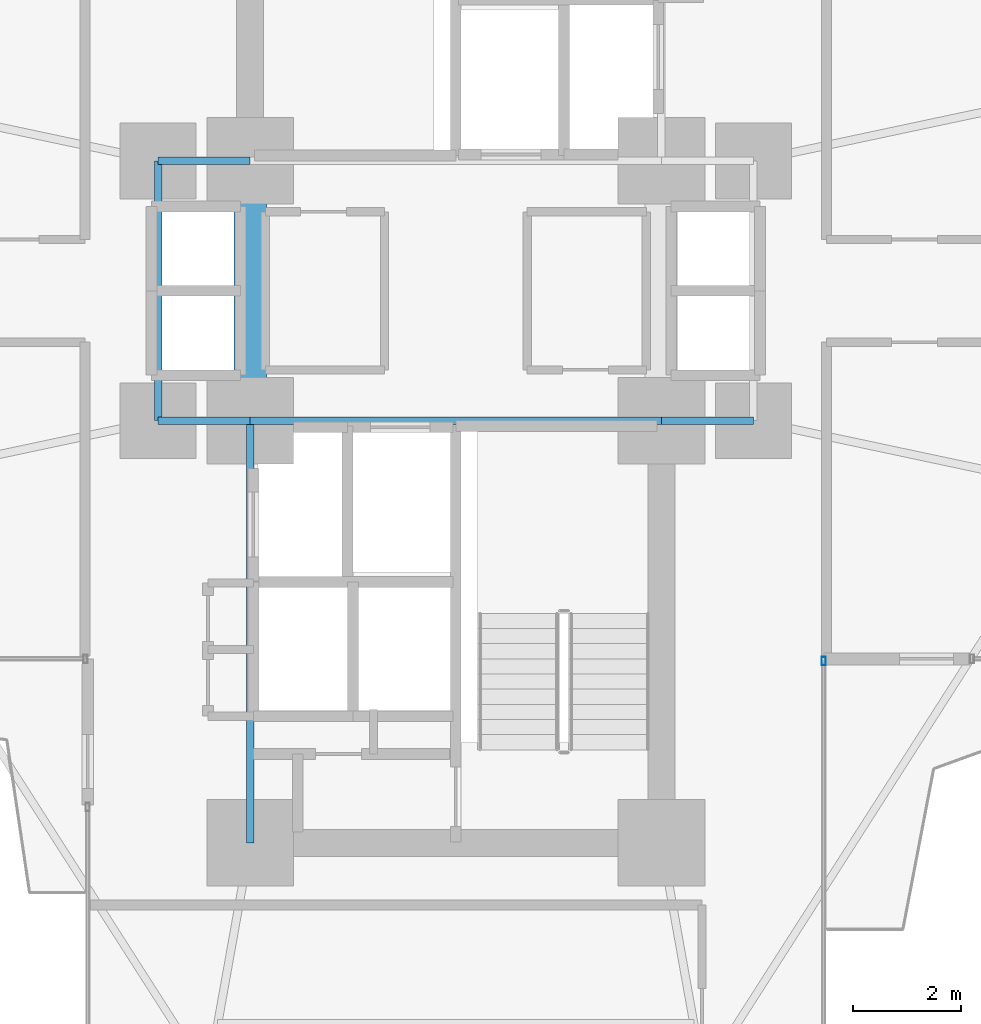
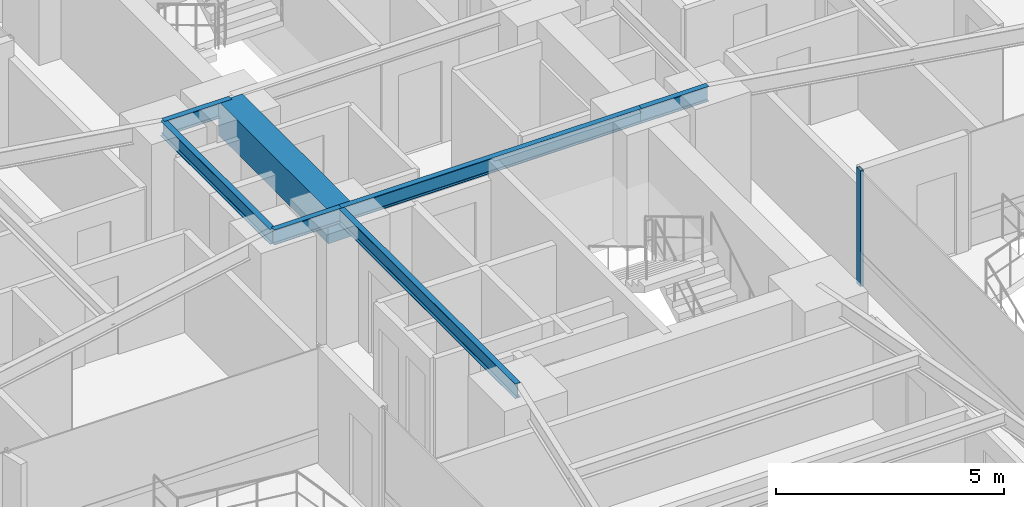
# One storey, part 11 of 26: 7 beams, 1 member, 1 element without a shape of its own.
"""IFC4 building model written with IfcOpenShell, lengths in metres."""

from ifc_helpers import new_model, si_unit, direction, frame, origin, origin_2d, place, context, subcontext, project, spatial, rectangle, hollow_rectangle, i_section, extrude, source, transform, mapped, material, material_profile, profile_set, type_object, element, aggregate, save


model = new_model("IFC4")

# Units and contexts
model_context = context("Model", 3, precision=1e-05, world=origin(), true_north=direction((0.0, 1.0)))
body_context = subcontext(model_context, "Body", "Model", "MODEL_VIEW")
ifc_project = project(units=[si_unit("LENGTHUNIT", "METRE"), si_unit("AREAUNIT", "SQUARE_METRE"), si_unit("VOLUMEUNIT", "CUBIC_METRE"), si_unit("PLANEANGLEUNIT", "RADIAN"), si_unit("MASSUNIT", "GRAM", prefix="KILO")], contexts=[model_context])

# Site, building, storey
site_placement = place(None, origin())
site = spatial("IfcSite", under=ifc_project, at=site_placement, CompositionType="ELEMENT")
building_placement = place(site_placement, origin())
building = spatial("IfcBuilding", under=site, at=building_placement, Name="Sahyath Konkavel Grand Hotel", CompositionType="ELEMENT")
storey_placement = place(building_placement, frame((0.0, 0.0, 29.800048828125)))
storey = spatial("IfcBuildingStorey", under=building, at=storey_placement, Name="L07", CompositionType="ELEMENT", Elevation=29.800048828125)

# Beams
ifc_material_1 = material(Name="Concrete C70/85", Category="concrete")
ifc_material_profile_1 = material_profile(ifc_material_1, rectangle(XDim=0.60009765625, YDim=0.89990234375, at=origin_2d()), Name="RC 600x900")
ifc_profile_set_1 = profile_set([ifc_material_profile_1], Name="Concrete C70/85")
beam_type_1 = type_object("IfcBeamType", Name="BM-CB600x900", PredefinedType="LINTEL", material=ifc_profile_set_1)
shared_shape_1 = source(origin(), body_context, "Body", "SweptSolid", [
    extrude(rectangle(XDim=0.60009765625, YDim=0.89990234375, at=origin_2d()), origin(), (0.0, 0.0, 1.0), 4.7998046875),
])
beam_1_placement = place(storey_placement, frame((-3.800048828125, -2.39990234375, 2.659912109375), z_axis=(0.0, 1.0, 0.0), x_axis=(-1.0, 0.0, 0.0)))
element("IfcBeam", 1, at=beam_1_placement, inside=storey, type_object=beam_type_1, Name="L07 Split-Core Coupling Beam West", PredefinedType="LINTEL", context=body_context, shape_type="MappedRepresentation", body=[
    mapped(shared_shape_1, transform((0.0, 0.0, 0.0), scale=1.0)),
])
ifc_material_2 = material(Name="Steel E350", Category="steel")
ifc_material_profile_2 = material_profile(ifc_material_2, i_section(OverallWidth=0.139892578125, OverallDepth=0.39990234375, WebThickness=0.0087890625, FlangeThickness=0.01611328125, FilletRadius=0.013916015625, at=origin_2d()), Name="ISMB 400")
ifc_profile_set_2 = profile_set([ifc_material_profile_2], Name="Steel E350")
beam_type_2 = type_object("IfcBeamType", Name="BM-ISMB400", PredefinedType="BEAM", material=ifc_profile_set_2)
shared_shape_2 = source(origin(), body_context, "Body", "SweptSolid", [
    extrude(i_section(OverallWidth=0.139892578125, OverallDepth=0.39990234375, WebThickness=0.0087890625, FlangeThickness=0.01611328125, FilletRadius=0.013916015625, at=origin_2d()), origin(), (0.0, 0.0, 1.0), 7.60009765625),
])
beam_2_placement = place(storey_placement, frame((-3.800048828125, -2.39990234375, 2.909912109375), z_axis=(1.0, 0.0, 0.0), x_axis=(0.0, 1.0, 0.0)))
element("IfcBeam", 2, at=beam_2_placement, inside=storey, type_object=beam_type_2, Name="str:bm:L07:SC-N", PredefinedType="BEAM", context=body_context, shape_type="MappedRepresentation", body=[
    mapped(shared_shape_2, transform((0.0, 0.0, 0.0), scale=1.0)),
])
shared_shape_3 = source(origin(), body_context, "Body", "SweptSolid", [
    extrude(i_section(OverallWidth=0.139892578125, OverallDepth=0.39990234375, WebThickness=0.0087890625, FlangeThickness=0.01611328125, FilletRadius=0.013916015625, at=origin_2d()), origin(), (0.0, 0.0, 1.0), 7.800048828125),
])
beam_3_placement = place(storey_placement, frame((-3.800048828125, -10.199951171875, 2.909912109375), z_axis=(0.0, 1.0, 0.0), x_axis=(-1.0, 0.0, 0.0)))
element("IfcBeam", 3, at=beam_3_placement, inside=storey, type_object=beam_type_2, Name="str:bm:L07:SC-W", PredefinedType="BEAM", context=body_context, shape_type="MappedRepresentation", body=[
    mapped(shared_shape_3, transform((0.0, 0.0, 0.0), scale=1.0)),
])
shared_shape_4 = source(origin(), body_context, "Body", "SweptSolid", [
    extrude(i_section(OverallWidth=0.139892578125, OverallDepth=0.39990234375, WebThickness=0.0087890625, FlangeThickness=0.01611328125, FilletRadius=0.013916015625, at=origin_2d()), origin(), (0.0, 0.0, 1.0), 1.699951171875),
])
for number, where, z_axis, x_axis, name in (
    (4, (-5.5, 2.39990234375, 2.909912109375), (1.0, 0.0, 0.0), (0.0, 1.0, 0.0), "str:bm:L07:HB-NW"),
    (5, (-5.5, -2.39990234375, 2.909912109375), (1.0, 0.0, 0.0), (0.0, 1.0, 0.0), "str:bm:L07:HB-SW"),
    (6, (3.800048828125, -2.39990234375, 2.909912109375), (1.0, 0.0, 0.0), (0.0, 1.0, 0.0), "str:bm:L07:HB-SE"),
):
    element("IfcBeam", number, at=place(storey_placement, frame(where, z_axis=z_axis, x_axis=x_axis)), inside=storey, type_object=beam_type_2, Name=name, PredefinedType="BEAM", context=body_context, shape_type="MappedRepresentation", body=[
        mapped(shared_shape_4, transform((0.0, 0.0, 0.0), scale=1.0)),
    ])
shared_shape_5 = source(origin(), body_context, "Body", "SweptSolid", [
    extrude(i_section(OverallWidth=0.139892578125, OverallDepth=0.39990234375, WebThickness=0.0087890625, FlangeThickness=0.01611328125, FilletRadius=0.013916015625, at=origin_2d()), origin(), (0.0, 0.0, 1.0), 4.7998046875),
])
beam_4_placement = place(storey_placement, frame((-5.5, -2.39990234375, 2.909912109375), z_axis=(0.0, 1.0, 0.0), x_axis=(-1.0, 0.0, 0.0)))
element("IfcBeam", 7, at=beam_4_placement, inside=storey, type_object=beam_type_2, Name="str:bm:L07:HB-W", PredefinedType="BEAM", context=body_context, shape_type="MappedRepresentation", body=[
    mapped(shared_shape_5, transform((0.0, 0.0, 0.0), scale=1.0)),
])

# Curtain wall, member
ifc_material_3 = material(Name="Anodised Bronze Aluminium & Low-E Glazing", Category="aluminium")
curtain_wall_type = type_object("IfcCurtainWallType", Name="CW-ZONE1", PredefinedType="NOTDEFINED", material=ifc_material_3)
curtain_wall_placement = place(storey_placement, origin())
curtain_wall = element("IfcCurtainWall", 8, at=curtain_wall_placement, inside=storey, type_object=curtain_wall_type, Name="L07 Unitised Curtain Wall F31", PredefinedType="NOTDEFINED")
ifc_material_4 = material(Name="Anodised Bronze Aluminium", Category="aluminium")
ifc_material_profile_3 = material_profile(ifc_material_4, hollow_rectangle(XDim=0.080078125, YDim=0.159912109375, WallThickness=0.006103515625, at=origin_2d()), Name="RHS 160x80x6")
ifc_profile_set_3 = profile_set([ifc_material_profile_3], Name="Anodised Bronze Aluminium")
member_type = type_object("IfcMemberType", Name="CW-MUL-160", PredefinedType="MULLION", material=ifc_profile_set_3)
shared_shape_6 = source(origin(), body_context, "Body", "SweptSolid", [
    extrude(hollow_rectangle(XDim=0.080078125, YDim=0.159912109375, WallThickness=0.006103515625, at=origin_2d()), origin(), (0.0, 0.0, 1.0), 3.10986328125),
])
member_placement = place(storey_placement, frame((6.800048828125, -6.840087890625, 0.0), z_axis=(0.0, 0.0, 1.0), x_axis=(1.0, 0.0, 0.0)))
member = element("IfcMember", 9, at=member_placement, type_object=member_type, Name="L07 Curtain Wall Mullion F31-2", PredefinedType="MULLION", context=body_context, shape_type="MappedRepresentation", body=[
    mapped(shared_shape_6, transform((0.0, 0.0, 0.0), scale=1.0)),
])
aggregate(curtain_wall, [member])

save(model, "model.ifc")
